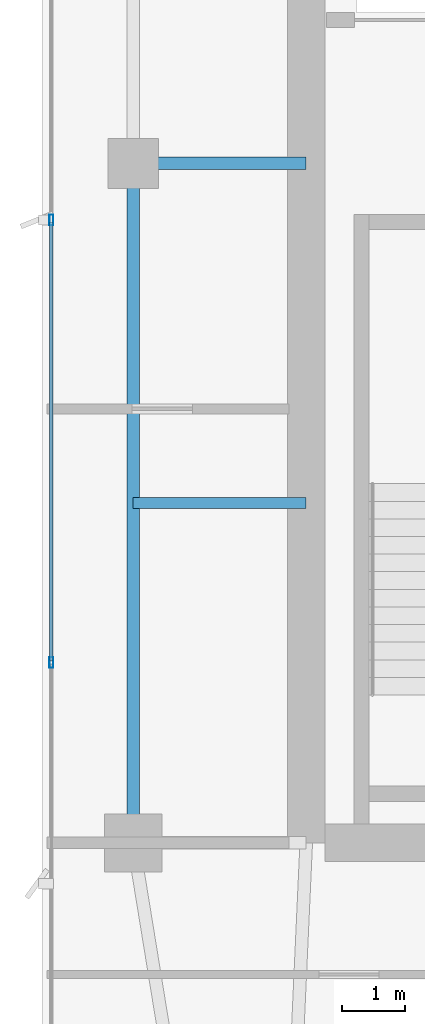
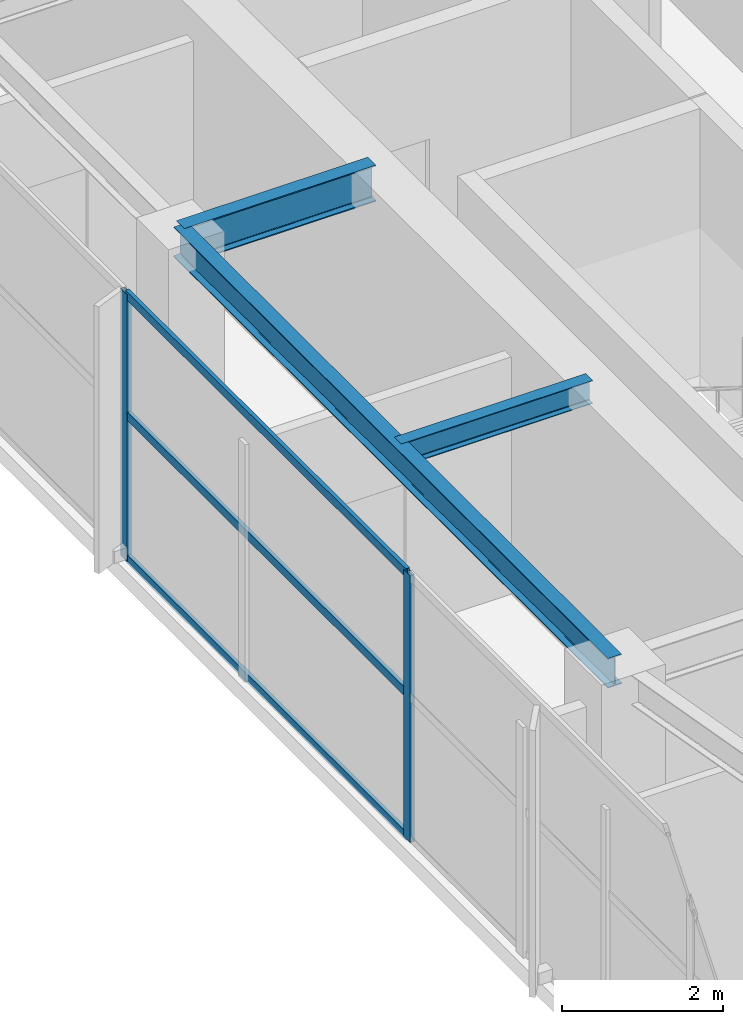
# One storey, part 9 of 26: 5 members, 3 beams, 1 element without a shape of its own.
"""IFC4 building model written with IfcOpenShell, lengths in metres."""

from ifc_helpers import new_model, si_unit, direction, frame, origin, origin_2d, place, context, subcontext, project, spatial, hollow_rectangle, i_section, extrude, material, layer, layer_set, material_profile, profile_set, type_object, element, aggregate, save


model = new_model("IFC4")

# Units and contexts
model_context = context("Model", 3, precision=1e-05, world=origin(), true_north=direction((0.0, 1.0)))
body_context = subcontext(model_context, "Body", "Model", "MODEL_VIEW")
ifc_project = project(units=[si_unit("LENGTHUNIT", "METRE"), si_unit("AREAUNIT", "SQUARE_METRE"), si_unit("VOLUMEUNIT", "CUBIC_METRE"), si_unit("PLANEANGLEUNIT", "RADIAN"), si_unit("MASSUNIT", "GRAM", prefix="KILO")], contexts=[model_context])

# Site, building, storey
site_placement = place(None, origin())
site = spatial("IfcSite", under=ifc_project, at=site_placement, CompositionType="ELEMENT")
building_placement = place(site_placement, origin())
building = spatial("IfcBuilding", under=site, at=building_placement, Name="Calvorn Quay Hotel", CompositionType="ELEMENT")
storey_placement = place(building_placement, frame((0.0, 0.0, 302.5)))
storey = spatial("IfcBuildingStorey", under=building, at=storey_placement, Name="L75", CompositionType="ELEMENT", Elevation=302.5)

# Beams
ifc_material_1 = material(Name="Steel Q355B", Category="steel")
ifc_material_profile_1 = material_profile(ifc_material_1, i_section(OverallWidth=0.199951171875, OverallDepth=0.550048828125, WebThickness=0.010009765625, FlangeThickness=0.01611328125, FilletRadius=0.01806640625, at=origin_2d()), Name="HN550x200x10x16")
ifc_profile_set_1 = profile_set([ifc_material_profile_1], Name="Steel Q355B")
beam_type_1 = type_object("IfcBeamType", Name="BM-GIRD-UPP", PredefinedType="BEAM", material=ifc_profile_set_1)
beam_1_placement = place(storey_placement, frame((1.449951171875, 27.60009765625, 3.77490234375), z_axis=(1.0, 0.0, 0.0), x_axis=(0.0, 1.0, 0.0)))
element("IfcBeam", 1, at=beam_1_placement, inside=storey, type_object=beam_type_1, Name="Beam BG-L75-W2", PredefinedType="BEAM", context=body_context, shape_type="SweptSolid", body=[
    extrude(i_section(OverallWidth=0.199951171875, OverallDepth=0.550048828125, WebThickness=0.010009765625, FlangeThickness=0.01611328125, FilletRadius=0.01806640625, at=origin_2d()), origin(), (0.0, 0.0, 1.0), 2.75),
])
ifc_material_2 = material(Name="Steel Q355B", Category="steel")
ifc_material_profile_2 = material_profile(ifc_material_2, i_section(OverallWidth=0.175048828125, OverallDepth=0.35009765625, WebThickness=0.007080078125, FlangeThickness=0.010986328125, FilletRadius=0.013916015625, at=origin_2d()), Name="HN350x175x7x11")
ifc_profile_set_2 = profile_set([ifc_material_profile_2], Name="Steel Q355B")
beam_type_2 = type_object("IfcBeamType", Name="BM-JOIST-SEC", PredefinedType="JOIST", material=ifc_profile_set_2)
beam_2_placement = place(storey_placement, frame((1.449951171875, 22.199951171875, 3.875), z_axis=(1.0, 0.0, 0.0), x_axis=(0.0, 1.0, 0.0)))
element("IfcBeam", 2, at=beam_2_placement, inside=storey, type_object=beam_type_2, Name="Beam BJ-L75-W3", PredefinedType="JOIST", context=body_context, shape_type="SweptSolid", body=[
    extrude(i_section(OverallWidth=0.175048828125, OverallDepth=0.35009765625, WebThickness=0.007080078125, FlangeThickness=0.010986328125, FilletRadius=0.013916015625, at=origin_2d()), origin(), (0.0, 0.0, 1.0), 2.75),
])
ifc_material_3 = material(Name="Steel Q355B", Category="steel")
ifc_material_profile_3 = material_profile(ifc_material_3, i_section(OverallWidth=0.199951171875, OverallDepth=0.449951171875, WebThickness=0.009033203125, FlangeThickness=0.013916015625, FilletRadius=0.01611328125, at=origin_2d()), Name="HN450x200x9x14")
ifc_profile_set_3 = profile_set([ifc_material_profile_3], Name="Steel Q355B")
beam_type_3 = type_object("IfcBeamType", Name="BM-SPANDREL-Z3", PredefinedType="SPANDREL", material=ifc_profile_set_3)
beam_3_placement = place(storey_placement, frame((1.449951171875, 16.800048828125, 3.824951171875), z_axis=(0.0, 1.0, 0.0), x_axis=(-1.0, 0.0, 0.0)))
element("IfcBeam", 3, at=beam_3_placement, inside=storey, type_object=beam_type_3, Name="Beam BSP-L75-W2", PredefinedType="SPANDREL", context=body_context, shape_type="SweptSolid", body=[
    extrude(i_section(OverallWidth=0.199951171875, OverallDepth=0.449951171875, WebThickness=0.009033203125, FlangeThickness=0.013916015625, FilletRadius=0.01611328125, at=origin_2d()), origin(), (0.0, 0.0, 1.0), 10.800048828125),
])

# Curtain wall, members
ifc_material_4 = material(Name="Champagne Bronze Anodised Aluminium and Low-E Glass", Category="aluminium")
ifc_layer = layer(ifc_material_4, 0.219970703125)
ifc_layer_set = layer_set([ifc_layer], Name="CW-SYS-Z4")
curtain_wall_type = type_object("IfcCurtainWallType", Name="CW-SYS-Z4", PredefinedType="NOTDEFINED", material=ifc_layer_set)
curtain_wall_placement = place(storey_placement, origin())
curtain_wall = element("IfcCurtainWall", 4, at=curtain_wall_placement, inside=storey, type_object=curtain_wall_type, Name="Tower West Curtain Wall (L75)", PredefinedType="NOTDEFINED")
ifc_material_5 = material(Name="Champagne Bronze Anodised Aluminium 6063-T6", Category="aluminium")
ifc_material_profile_4 = material_profile(ifc_material_5, hollow_rectangle(XDim=0.06494140625, YDim=0.169921875, WallThickness=0.00341796875, at=origin_2d()), Name="ALU-M170x65x3.5")
ifc_profile_set_4 = profile_set([ifc_material_profile_4], Name="Champagne Bronze Anodised Aluminium 6063-T6")
member_type_1 = type_object("IfcMemberType", Name="CW-SYS-Z4-MUL", PredefinedType="MULLION", material=ifc_profile_set_4)
member_1_placement = place(storey_placement, frame((0.14990234375, 19.666748046875, 0.0), z_axis=(0.0, 0.0, 1.0), x_axis=(-1.0, 0.0, 0.0)))
member_1 = element("IfcMember", 5, at=member_1_placement, type_object=member_type_1, Name="CW-L75-W mullion 3", PredefinedType="MULLION", context=body_context, shape_type="SweptSolid", body=[
    extrude(hollow_rectangle(XDim=0.06494140625, YDim=0.169921875, WallThickness=0.00341796875, at=origin_2d()), origin(), (0.0, 0.0, 1.0), 4.050048828125),
])
member_2_placement = place(storey_placement, frame((0.14990234375, 26.699951171875, 0.0), z_axis=(0.0, 0.0, 1.0), x_axis=(-1.0, 0.0, 0.0)))
member_2 = element("IfcMember", 6, at=member_2_placement, type_object=member_type_1, Name="CW-L75-W mullion 4", PredefinedType="MULLION", context=body_context, shape_type="SweptSolid", body=[
    extrude(hollow_rectangle(XDim=0.06494140625, YDim=0.169921875, WallThickness=0.00341796875, at=origin_2d()), origin(), (0.0, 0.0, 1.0), 4.050048828125),
])
ifc_material_6 = material(Name="Champagne Bronze Anodised Aluminium 6063-T6", Category="aluminium")
ifc_material_profile_5 = material_profile(ifc_material_6, hollow_rectangle(XDim=0.054931640625, YDim=0.1298828125, WallThickness=0.003173828125, at=origin_2d()), Name="ALU-T130x55x3.2")
ifc_profile_set_5 = profile_set([ifc_material_profile_5], Name="Champagne Bronze Anodised Aluminium 6063-T6")
member_type_2 = type_object("IfcMemberType", Name="CW-SYS-Z4-TRN", PredefinedType="USERDEFINED", material=ifc_profile_set_5)
member_3_placement = place(storey_placement, frame((0.14990234375, 19.69677734375, 0.030029296875), z_axis=(0.0, 1.0, 0.0), x_axis=(-1.0, 0.0, 0.0)))
member_3 = element("IfcMember", 7, at=member_3_placement, type_object=member_type_2, Name="CW-L75-W transom 3.1", ObjectType="TRANSOM", PredefinedType="USERDEFINED", context=body_context, shape_type="SweptSolid", body=[
    extrude(hollow_rectangle(XDim=0.054931640625, YDim=0.1298828125, WallThickness=0.003173828125, at=origin_2d()), origin(), (0.0, 0.0, 1.0), 6.97314453125),
])
member_4_placement = place(storey_placement, frame((0.14990234375, 19.69677734375, 2.199951171875), z_axis=(0.0, 1.0, 0.0), x_axis=(-1.0, 0.0, 0.0)))
member_4 = element("IfcMember", 8, at=member_4_placement, type_object=member_type_2, Name="CW-L75-W transom 3.2", ObjectType="TRANSOM", PredefinedType="USERDEFINED", context=body_context, shape_type="SweptSolid", body=[
    extrude(hollow_rectangle(XDim=0.054931640625, YDim=0.1298828125, WallThickness=0.003173828125, at=origin_2d()), origin(), (0.0, 0.0, 1.0), 6.97314453125),
])
member_5_placement = place(storey_placement, frame((0.14990234375, 19.69677734375, 4.02001953125), z_axis=(0.0, 1.0, 0.0), x_axis=(-1.0, 0.0, 0.0)))
member_5 = element("IfcMember", 9, at=member_5_placement, type_object=member_type_2, Name="CW-L75-W transom 3.3", ObjectType="TRANSOM", PredefinedType="USERDEFINED", context=body_context, shape_type="SweptSolid", body=[
    extrude(hollow_rectangle(XDim=0.054931640625, YDim=0.1298828125, WallThickness=0.003173828125, at=origin_2d()), origin(), (0.0, 0.0, 1.0), 6.97314453125),
])
aggregate(curtain_wall, [member_1, member_2, member_3, member_4, member_5])

save(model, "model.ifc")
